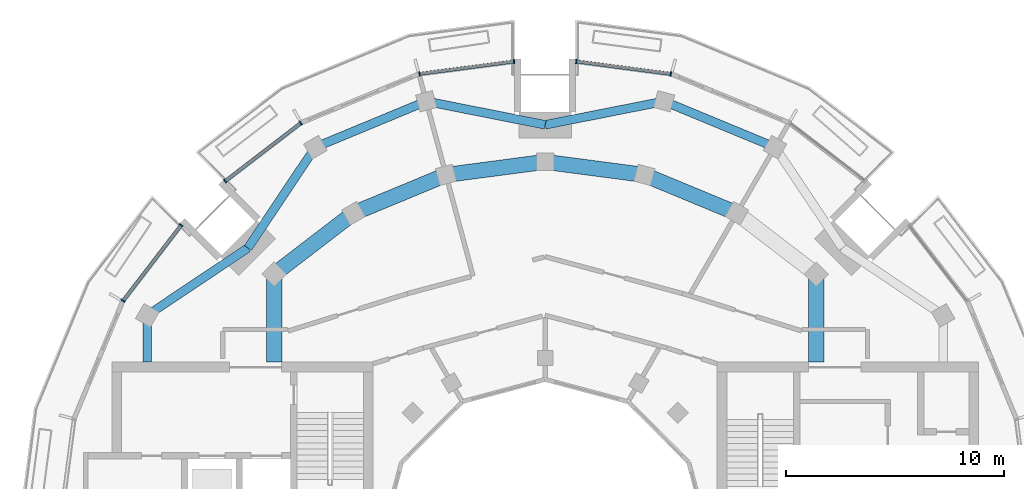
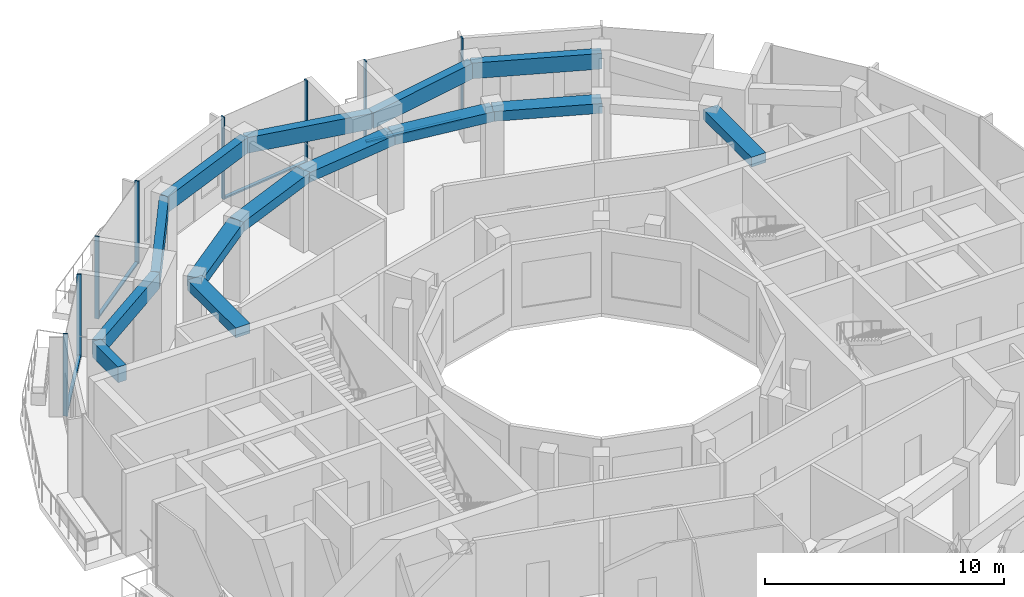
# One storey, part 5 of 16: 14 beams, 12 members, 4 elements without a shape of their own.
"""IFC4 building model written with IfcOpenShell, lengths in metres."""

from ifc_helpers import new_model, si_unit, direction, frame, origin, origin_2d, place, context, subcontext, project, spatial, rectangle, extrude, material, layer, layer_set, material_profile, profile_set, type_object, element, aggregate, save


model = new_model("IFC4")

# Units and contexts
model_context = context("Model", 3, precision=1e-05, world=origin(), true_north=direction((0.0, 1.0)))
body_context = subcontext(model_context, "Body", "Model", "MODEL_VIEW")
ifc_project = project(units=[si_unit("LENGTHUNIT", "METRE"), si_unit("AREAUNIT", "SQUARE_METRE"), si_unit("VOLUMEUNIT", "CUBIC_METRE"), si_unit("PLANEANGLEUNIT", "RADIAN"), si_unit("MASSUNIT", "GRAM", prefix="KILO")], contexts=[model_context])

# Site, building, storey
site_placement = place(None, origin())
site = spatial("IfcSite", under=ifc_project, at=site_placement, CompositionType="ELEMENT")
building_placement = place(site_placement, origin())
building = spatial("IfcBuilding", under=site, at=building_placement, Name="Torre Brocal", CompositionType="ELEMENT")
storey_placement = place(building_placement, frame((0.0, 0.0, 292.5)))
storey = spatial("IfcBuildingStorey", under=building, at=storey_placement, Name="L67", CompositionType="ELEMENT", Elevation=292.5)

# Curtain wall, members
ifc_material_1 = material(Name="Aluminium and glass", Category="aluminium")
ifc_layer = layer(ifc_material_1, 0.199951171875)
ifc_layer_set = layer_set([ifc_layer], Name="Aluminium and glass")
curtain_wall_type = type_object("IfcCurtainWallType", Name="CW-1 CURTAIN WALL 4200 HIGH", PredefinedType="NOTDEFINED", material=ifc_layer_set)
curtain_wall_1_placement = place(storey_placement, origin())
curtain_wall_1 = element("IfcCurtainWall", 1, at=curtain_wall_1_placement, inside=storey, type_object=curtain_wall_type, Name="CW-1 RUN 6", PredefinedType="NOTDEFINED")
ifc_material_2 = material(Name="Aluminium, dark anodised", Category="aluminium")
ifc_material_profile_1 = material_profile(ifc_material_2, rectangle(XDim=0.199951171875, YDim=0.06005859375, at=origin_2d()), Name="CW-1 MULLION 60X200")
ifc_profile_set_1 = profile_set([ifc_material_profile_1], Name="Aluminium, dark anodised")
member_type_1 = type_object("IfcMemberType", Name="CW-1 MULLION 60X200", PredefinedType="MULLION", material=ifc_profile_set_1)
member_1_placement = place(storey_placement, frame((85.767578125, 96.639892578125, 0.0), z_axis=(0.0, 0.0, 1.0), x_axis=(-0.13052619222, -0.991444861374, 0.0)))
member_1 = element("IfcMember", 2, at=member_1_placement, type_object=member_type_1, Name="CW1-5 mullion 1", PredefinedType="MULLION", context=body_context, shape_type="SweptSolid", body=[
    extrude(rectangle(XDim=0.199951171875, YDim=0.06005859375, at=origin_2d()), origin(), (0.0, 0.0, 1.0), 4.199951171875),
])
member_2_placement = place(storey_placement, frame((81.4296875, 97.2109375, 0.0), z_axis=(0.0, 0.0, 1.0), x_axis=(-0.13052619222, -0.991444861374, 0.0)))
member_2 = element("IfcMember", 3, at=member_2_placement, type_object=member_type_1, Name="CW1-5 mullion 2", PredefinedType="MULLION", context=body_context, shape_type="SweptSolid", body=[
    extrude(rectangle(XDim=0.199951171875, YDim=0.06005859375, at=origin_2d()), origin(), (0.0, 0.0, 1.0), 4.199951171875),
])

curtain_wall_2_placement = place(storey_placement, origin())
curtain_wall_2 = element("IfcCurtainWall", 4, at=curtain_wall_2_placement, inside=storey, type_object=curtain_wall_type, Name="CW-1 RUN 7", PredefinedType="NOTDEFINED")
member_3_placement = place(storey_placement, frame((78.5703125, 97.2109375, 0.0), z_axis=(0.0, 0.0, 1.0), x_axis=(0.13052619222, -0.991444861374, 0.0)))
member_3 = element("IfcMember", 5, at=member_3_placement, type_object=member_type_1, Name="CW1-5 mullion 1", PredefinedType="MULLION", context=body_context, shape_type="SweptSolid", body=[
    extrude(rectangle(XDim=0.199951171875, YDim=0.06005859375, at=origin_2d()), origin(), (0.0, 0.0, 1.0), 4.199951171875),
])
member_4_placement = place(storey_placement, frame((74.232421875, 96.639892578125, 0.0), z_axis=(0.0, 0.0, 1.0), x_axis=(0.13052619222, -0.991444861374, 0.0)))
member_4 = element("IfcMember", 6, at=member_4_placement, type_object=member_type_1, Name="CW1-5 mullion 2", PredefinedType="MULLION", context=body_context, shape_type="SweptSolid", body=[
    extrude(rectangle(XDim=0.199951171875, YDim=0.06005859375, at=origin_2d()), origin(), (0.0, 0.0, 1.0), 4.199951171875),
])

curtain_wall_3_placement = place(storey_placement, origin())
curtain_wall_3 = element("IfcCurtainWall", 7, at=curtain_wall_3_placement, inside=storey, type_object=curtain_wall_type, Name="CW-1 RUN 9", PredefinedType="NOTDEFINED")
member_5_placement = place(storey_placement, frame((68.776611328125, 94.3798828125, 0.0), z_axis=(0.0, 0.0, 1.0), x_axis=(0.608761429064, -0.793353340249, 0.0)))
member_5 = element("IfcMember", 8, at=member_5_placement, type_object=member_type_1, Name="CW1-5 mullion 1", PredefinedType="MULLION", context=body_context, shape_type="SweptSolid", body=[
    extrude(rectangle(XDim=0.199951171875, YDim=0.06005859375, at=origin_2d()), origin(), (0.0, 0.0, 1.0), 4.199951171875),
])
member_6_placement = place(storey_placement, frame((65.305419921875, 91.716552734375, 0.0), z_axis=(0.0, 0.0, 1.0), x_axis=(0.608761429064, -0.793353340249, 0.0)))
member_6 = element("IfcMember", 9, at=member_6_placement, type_object=member_type_1, Name="CW1-5 mullion 2", PredefinedType="MULLION", context=body_context, shape_type="SweptSolid", body=[
    extrude(rectangle(XDim=0.199951171875, YDim=0.06005859375, at=origin_2d()), origin(), (0.0, 0.0, 1.0), 4.199951171875),
])

curtain_wall_4_placement = place(storey_placement, origin())
curtain_wall_4 = element("IfcCurtainWall", 10, at=curtain_wall_4_placement, inside=storey, type_object=curtain_wall_type, Name="CW-1 RUN 10", PredefinedType="NOTDEFINED")
member_7_placement = place(storey_placement, frame((63.283447265625, 89.694580078125, 0.0), z_axis=(0.0, 0.0, 1.0), x_axis=(0.793353340249, -0.608761429064, 0.0)))
member_7 = element("IfcMember", 11, at=member_7_placement, type_object=member_type_1, Name="CW1-5 mullion 1", PredefinedType="MULLION", context=body_context, shape_type="SweptSolid", body=[
    extrude(rectangle(XDim=0.199951171875, YDim=0.06005859375, at=origin_2d()), origin(), (0.0, 0.0, 1.0), 4.199951171875),
])
member_8_placement = place(storey_placement, frame((60.6201171875, 86.223388671875, 0.0), z_axis=(0.0, 0.0, 1.0), x_axis=(0.793353340249, -0.608761429064, 0.0)))
member_8 = element("IfcMember", 12, at=member_8_placement, type_object=member_type_1, Name="CW1-5 mullion 2", PredefinedType="MULLION", context=body_context, shape_type="SweptSolid", body=[
    extrude(rectangle(XDim=0.199951171875, YDim=0.06005859375, at=origin_2d()), origin(), (0.0, 0.0, 1.0), 4.199951171875),
])

# Member
ifc_material_3 = material(Name="Aluminium, dark anodised", Category="aluminium")
ifc_material_profile_2 = material_profile(ifc_material_3, rectangle(XDim=0.159912109375, YDim=0.080078125, at=origin_2d()), Name="CW-1 TRANSOM 160X80")
ifc_profile_set_2 = profile_set([ifc_material_profile_2], Name="Aluminium, dark anodised")
member_type_2 = type_object("IfcMemberType", Name="CW-1 TRANSOM 160X80", PredefinedType="USERDEFINED", material=ifc_profile_set_2)
member_9_placement = place(storey_placement, frame((85.73779296875, 96.643798828125, 0.0400390625), z_axis=(-0.991445435136, 0.130521833991, 0.0), x_axis=(-0.130521833991, -0.991445435136, 0.0)))
member_9 = element("IfcMember", 13, at=member_9_placement, type_object=member_type_2, Name="CW1-5 transom 1.1", ObjectType="TRANSOM", PredefinedType="USERDEFINED", context=body_context, shape_type="SweptSolid", body=[
    extrude(rectangle(XDim=0.159912109375, YDim=0.080078125, at=origin_2d()), origin(), (0.0, 0.0, 1.0), 4.315185546875),
])

aggregate(curtain_wall_1, [member_1, member_2, member_9])

member_10_placement = place(storey_placement, frame((78.54052734375, 97.20703125, 0.0400390625), z_axis=(-0.991445435136, -0.130521833991, 0.0), x_axis=(0.130521833991, -0.991445435136, 0.0)))
member_10 = element("IfcMember", 14, at=member_10_placement, type_object=member_type_2, Name="CW1-5 transom 1.1", ObjectType="TRANSOM", PredefinedType="USERDEFINED", context=body_context, shape_type="SweptSolid", body=[
    extrude(rectangle(XDim=0.159912109375, YDim=0.080078125, at=origin_2d()), origin(), (0.0, 0.0, 1.0), 4.315185546875),
])

aggregate(curtain_wall_2, [member_3, member_4, member_10])

member_11_placement = place(storey_placement, frame((68.7529296875, 94.36181640625, 0.0400390625), z_axis=(-0.793332201462, -0.608788976677, 0.0), x_axis=(0.608788976677, -0.793332201462, 0.0)))
member_11 = element("IfcMember", 15, at=member_11_placement, type_object=member_type_2, Name="CW1-5 transom 1.1", ObjectType="TRANSOM", PredefinedType="USERDEFINED", context=body_context, shape_type="SweptSolid", body=[
    extrude(rectangle(XDim=0.159912109375, YDim=0.080078125, at=origin_2d()), origin(), (0.0, 0.0, 1.0), 4.3154296875),
])

aggregate(curtain_wall_3, [member_5, member_6, member_11])

member_12_placement = place(storey_placement, frame((63.265380859375, 89.670654296875, 0.0400390625), z_axis=(-0.608788976677, -0.793332201462, 0.0), x_axis=(0.793332201462, -0.608788976677, 0.0)))
member_12 = element("IfcMember", 16, at=member_12_placement, type_object=member_type_2, Name="CW1-5 transom 1.1", ObjectType="TRANSOM", PredefinedType="USERDEFINED", context=body_context, shape_type="SweptSolid", body=[
    extrude(rectangle(XDim=0.159912109375, YDim=0.080078125, at=origin_2d()), origin(), (0.0, 0.0, 1.0), 4.3154296875),
])

aggregate(curtain_wall_4, [member_7, member_8, member_12])

# Beams
ifc_material_4 = material(Name="Concrete C50", Category="concrete")
ifc_material_profile_3 = material_profile(ifc_material_4, rectangle(XDim=0.699951171875, YDim=0.5, at=origin_2d()), Name="RC 700X500")
ifc_profile_set_3 = profile_set([ifc_material_profile_3], Name="Concrete C50")
beam_type_1 = type_object("IfcBeamType", Name="RC BEAM 700X500 C50 TOP 3880", PredefinedType="BEAM", material=ifc_profile_set_3)
beam_1_placement = place(storey_placement, frame((88.800048828125, 90.241943359375, 3.6298828125), z_axis=(-0.923878240166, 0.382686552348, 0.0), x_axis=(-0.382686552348, -0.923878240166, 0.0)))
element("IfcBeam", 17, at=beam_1_placement, inside=storey, type_object=beam_type_1, Name="Beam BT-37", PredefinedType="BEAM", context=body_context, shape_type="SweptSolid", body=[
    extrude(rectangle(XDim=0.699951171875, YDim=0.5, at=origin_2d()), origin(), (0.0, 0.0, 1.0), 4.5947265625),
])
for number, where, z_axis, x_axis, name in (
    (18, (84.55517578125, 92.000244140625, 3.6298828125), (-0.991440544449, 0.130558978332, 0.0), (-0.130558978332, -0.991440544449, 0.0), "Beam BT-37"),
    (19, (80.0, 92.60009765625, 3.6298828125), (-0.991440544449, -0.130558978332, 0.0), (0.130558978332, -0.991440544449, 0.0), "Beam BT-37"),
):
    element("IfcBeam", number, at=place(storey_placement, frame(where, z_axis=z_axis, x_axis=x_axis)), inside=storey, type_object=beam_type_1, Name=name, PredefinedType="BEAM", context=body_context, shape_type="SweptSolid", body=[
        extrude(rectangle(XDim=0.699951171875, YDim=0.5, at=origin_2d()), origin(), (0.0, 0.0, 1.0), 4.594482421875),
    ])
beam_2_placement = place(storey_placement, frame((75.44482421875, 92.000244140625, 3.6298828125), z_axis=(-0.923878240166, -0.382686552348, 0.0), x_axis=(0.382686552348, -0.923878240166, 0.0)))
element("IfcBeam", 20, at=beam_2_placement, inside=storey, type_object=beam_type_1, Name="Beam BT-37", PredefinedType="BEAM", context=body_context, shape_type="SweptSolid", body=[
    extrude(rectangle(XDim=0.699951171875, YDim=0.5, at=origin_2d()), origin(), (0.0, 0.0, 1.0), 4.5947265625),
])
beam_3_placement = place(storey_placement, frame((71.199951171875, 90.241943359375, 3.6298828125), z_axis=(-0.793358265959, -0.6087550097, 0.0), x_axis=(0.6087550097, -0.793358265959, 0.0)))
element("IfcBeam", 21, at=beam_3_placement, inside=storey, type_object=beam_type_1, Name="Beam BT-37", PredefinedType="BEAM", context=body_context, shape_type="SweptSolid", body=[
    extrude(rectangle(XDim=0.699951171875, YDim=0.5, at=origin_2d()), origin(), (0.0, 0.0, 1.0), 4.594482421875),
])
for number, where, z_axis, x_axis, name in (
    (22, (67.554931640625, 87.445068359375, 3.6298828125), (0.0, -1.0, 0.0), (1.0, 0.0, 0.0), "Beam BT-37"),
    (23, (92.445068359375, 87.445068359375, 3.6298828125), (0.0, -1.0, 0.0), (1.0, 0.0, 0.0), "Beam BT-37"),
):
    element("IfcBeam", number, at=place(storey_placement, frame(where, z_axis=z_axis, x_axis=x_axis)), inside=storey, type_object=beam_type_1, Name=name, PredefinedType="BEAM", context=body_context, shape_type="SweptSolid", body=[
        extrude(rectangle(XDim=0.699951171875, YDim=0.5, at=origin_2d()), origin(), (0.0, 0.0, 1.0), 4.045166015625),
    ])
ifc_material_5 = material(Name="Concrete C50", Category="concrete")
ifc_material_profile_4 = material_profile(ifc_material_5, rectangle(XDim=0.39990234375, YDim=0.800048828125, at=origin_2d()), Name="RC 400X800")
ifc_profile_set_4 = profile_set([ifc_material_profile_4], Name="Concrete C50")
beam_type_2 = type_object("IfcBeamType", Name="RC SPANDREL BEAM 400X800 C50 TOP 3880", PredefinedType="SPANDREL", material=ifc_profile_set_4)
beam_4_placement = place(storey_placement, frame((90.550048828125, 93.273193359375, 3.47998046875), z_axis=(-0.923877456038, 0.382688445377, 0.0), x_axis=(-0.382688445377, -0.923877456038, 0.0)))
element("IfcBeam", 24, at=beam_4_placement, inside=storey, type_object=beam_type_2, Name="Beam BT-47", PredefinedType="SPANDREL", context=body_context, shape_type="SweptSolid", body=[
    extrude(rectangle(XDim=0.39990234375, YDim=0.800048828125, at=origin_2d()), origin(), (0.0, 0.0, 1.0), 5.508056640625),
])
for number, where, z_axis, x_axis, name in (
    (25, (85.461181640625, 95.381103515625, 3.47998046875), (-0.980965024419, -0.194184502129, 0.0), (0.194184502129, -0.980965024419, 0.0), "Beam BT-47"),
    (26, (80.0, 94.300048828125, 3.47998046875), (-0.980965024419, 0.194184502129, 0.0), (-0.194184502129, -0.980965024419, 0.0), "Beam BT-47"),
):
    element("IfcBeam", number, at=place(storey_placement, frame(where, z_axis=z_axis, x_axis=x_axis)), inside=storey, type_object=beam_type_2, Name=name, PredefinedType="SPANDREL", context=body_context, shape_type="SweptSolid", body=[
        extrude(rectangle(XDim=0.39990234375, YDim=0.800048828125, at=origin_2d()), origin(), (0.0, 0.0, 1.0), 5.567138671875),
    ])
beam_5_placement = place(storey_placement, frame((74.538818359375, 95.381103515625, 3.47998046875), z_axis=(-0.923877456038, -0.382688445377, 0.0), x_axis=(0.382688445377, -0.923877456038, 0.0)))
element("IfcBeam", 27, at=beam_5_placement, inside=storey, type_object=beam_type_2, Name="Beam BT-47", PredefinedType="SPANDREL", context=body_context, shape_type="SweptSolid", body=[
    extrude(rectangle(XDim=0.39990234375, YDim=0.800048828125, at=origin_2d()), origin(), (0.0, 0.0, 1.0), 5.508056640625),
])
for number, where, z_axis, x_axis, name in (
    (28, (69.449951171875, 93.273193359375, 3.47998046875), (-0.556338604247, -0.830955689206, 0.0), (0.830955689206, -0.556338604247, 0.0), "Beam BT-47"),
    (29, (66.352783203125, 88.647216796875, 3.47998046875), (-0.830955689206, -0.556338604247, 0.0), (0.556338604247, -0.830955689206, 0.0), "Beam BT-47"),
):
    element("IfcBeam", number, at=place(storey_placement, frame(where, z_axis=z_axis, x_axis=x_axis)), inside=storey, type_object=beam_type_2, Name=name, PredefinedType="SPANDREL", context=body_context, shape_type="SweptSolid", body=[
        extrude(rectangle(XDim=0.39990234375, YDim=0.800048828125, at=origin_2d()), origin(), (0.0, 0.0, 1.0), 5.567138671875),
    ])
beam_6_placement = place(storey_placement, frame((61.726806640625, 85.550048828125, 3.47998046875), z_axis=(0.0, -1.0, 0.0), x_axis=(1.0, 0.0, 0.0)))
element("IfcBeam", 30, at=beam_6_placement, inside=storey, type_object=beam_type_2, Name="Beam BT-47", PredefinedType="SPANDREL", context=body_context, shape_type="SweptSolid", body=[
    extrude(rectangle(XDim=0.39990234375, YDim=0.800048828125, at=origin_2d()), origin(), (0.0, 0.0, 1.0), 2.150146484375),
])

save(model, "model.ifc")
